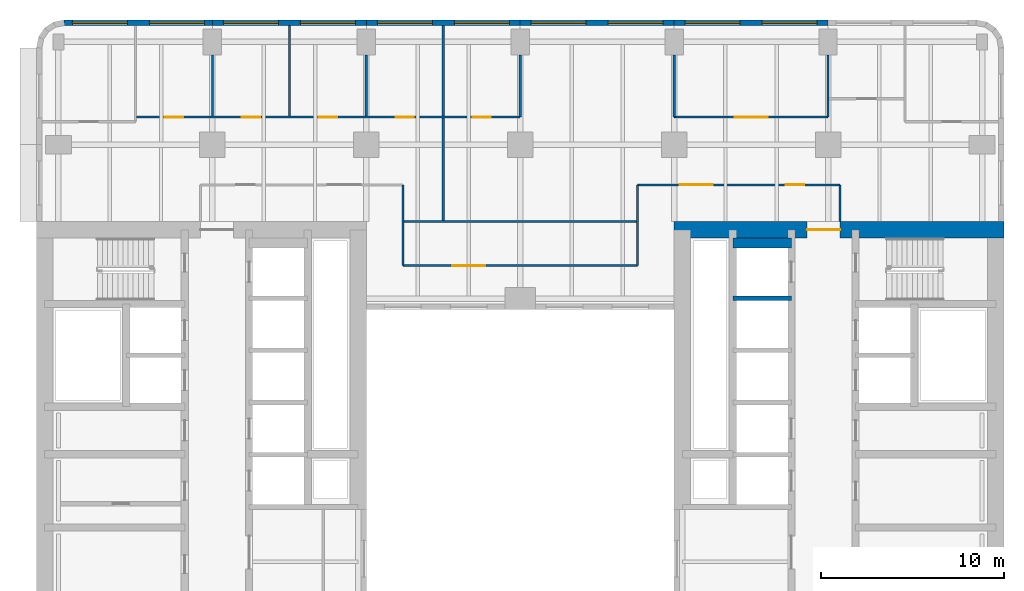
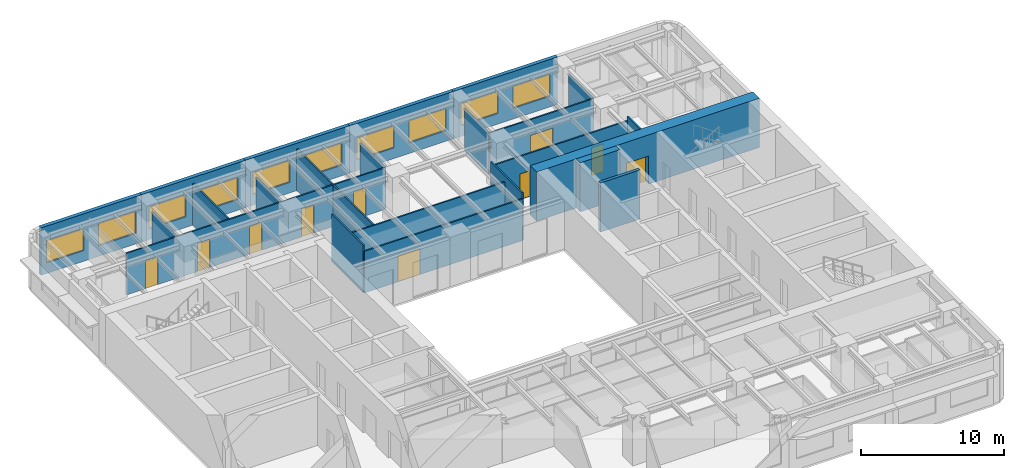
# One storey, part 7 of 11: 24 walls, 10 doors, 10 windows, 20 openings.
"""IFC4 building model written with IfcOpenShell, lengths in metres."""

from ifc_helpers import new_model, si_unit, direction, frame, frame_2d, origin, place, context, subcontext, project, spatial, rectangle, extrude, material, layer, layer_set, type_object, element, fill, save


model = new_model("IFC4")

# Units and contexts
model_context = context("Model", 3, precision=1e-05, world=origin(), true_north=direction((0.0, 1.0)))
body_context = subcontext(model_context, "Body", "Model", "MODEL_VIEW")
ifc_project = project(units=[si_unit("LENGTHUNIT", "METRE"), si_unit("AREAUNIT", "SQUARE_METRE"), si_unit("VOLUMEUNIT", "CUBIC_METRE"), si_unit("PLANEANGLEUNIT", "RADIAN"), si_unit("MASSUNIT", "GRAM", prefix="KILO")], contexts=[model_context])

# Site, building, storey
site_placement = place(None, origin())
site = spatial("IfcSite", under=ifc_project, at=site_placement, CompositionType="ELEMENT")
building_placement = place(site_placement, origin())
building = spatial("IfcBuilding", under=site, at=building_placement, Name="Claustro Exchange Tower", CompositionType="ELEMENT")
storey_placement = place(building_placement, frame((0.0, 0.0, 147.0)))
storey = spatial("IfcBuildingStorey", under=building, at=storey_placement, Name="L33", CompositionType="ELEMENT", Elevation=147.0)

# Wall, openings, doors
ifc_material_1 = material(Name="Laminated glass in aluminium frame", Category="aluminium")
ifc_layer_1 = layer(ifc_material_1, 0.1201171875)
ifc_layer_set_1 = layer_set([ifc_layer_1], Name="Laminated glass in aluminium frame")
wall_type_1 = type_object("IfcWallType", Name="P2 120 glazed partition", PredefinedType="PARTITIONING", material=ifc_layer_set_1)
wall_1_placement = place(storey_placement, frame((4.258056640625, 43.5, 0.0), z_axis=(0.0, 0.0, 1.0), x_axis=(1.0, 0.0, 0.0)))
wall_1 = element("IfcWall", 1, at=wall_1_placement, inside=storey, type_object=wall_type_1, Name="Partition P2 L33", PredefinedType="PARTITIONING", context=body_context, shape_type="SweptSolid", body=[
    extrude(rectangle(XDim=20.94189453125, YDim=0.1201171875, at=frame_2d((10.470947265625, 0.0))), origin(), (0.0, 0.0, 1.0), 3.550048828125),
])
opening_1_placement = place(wall_1_placement, frame((1.5419921875, 0.0, 0.0)))
opening_1 = element("IfcOpeningElement", 2, at=opening_1_placement, cuts=wall_1, Name="Opening D7", PredefinedType="OPENING", context=body_context, shape_type="SweptSolid", body=[
    extrude(rectangle(XDim=1.0, YDim=2.39990234375, at=frame_2d((0.5, 1.199951171875))), frame((0.0, 0.070068359375, 0.0), z_axis=(0.0, -1.0, 0.0), x_axis=(1.0, 0.0, 0.0)), (0.0, 0.0, 1.0), 0.14013671875),
])
opening_2_placement = place(wall_1_placement, frame((5.741943359375, 0.0, 0.0)))
opening_2 = element("IfcOpeningElement", 3, at=opening_2_placement, cuts=wall_1, Name="Opening D7", PredefinedType="OPENING", context=body_context, shape_type="SweptSolid", body=[
    extrude(rectangle(XDim=1.0, YDim=2.39990234375, at=frame_2d((0.5, 1.199951171875))), frame((0.0, 0.070068359375, 0.0), z_axis=(0.0, -1.0, 0.0), x_axis=(1.0, 0.0, 0.0)), (0.0, 0.0, 1.0), 0.14013671875),
])
opening_3_placement = place(wall_1_placement, frame((9.94189453125, 0.0, 0.0)))
opening_3 = element("IfcOpeningElement", 4, at=opening_3_placement, cuts=wall_1, Name="Opening D7", PredefinedType="OPENING", context=body_context, shape_type="SweptSolid", body=[
    extrude(rectangle(XDim=1.0, YDim=2.39990234375, at=frame_2d((0.5, 1.199951171875))), frame((0.0, 0.070068359375, 0.0), z_axis=(0.0, -1.0, 0.0), x_axis=(1.0, 0.0, 0.0)), (0.0, 0.0, 1.0), 0.14013671875),
])
opening_4_placement = place(wall_1_placement, frame((14.14208984375, 0.0, 0.0)))
opening_4 = element("IfcOpeningElement", 5, at=opening_4_placement, cuts=wall_1, Name="Opening D7", PredefinedType="OPENING", context=body_context, shape_type="SweptSolid", body=[
    extrude(rectangle(XDim=1.0, YDim=2.39990234375, at=frame_2d((0.5, 1.199951171875))), frame((0.0, 0.070068359375, 0.0), z_axis=(0.0, -1.0, 0.0), x_axis=(1.0, 0.0, 0.0)), (0.0, 0.0, 1.0), 0.14013671875),
])
opening_5_placement = place(wall_1_placement, frame((18.342041015625, 0.0, 0.0)))
opening_5 = element("IfcOpeningElement", 6, at=opening_5_placement, cuts=wall_1, Name="Opening D7", PredefinedType="OPENING", context=body_context, shape_type="SweptSolid", body=[
    extrude(rectangle(XDim=1.0, YDim=2.39990234375, at=frame_2d((0.5, 1.199951171875))), frame((0.0, 0.070068359375, 0.0), z_axis=(0.0, -1.0, 0.0), x_axis=(1.0, 0.0, 0.0)), (0.0, 0.0, 1.0), 0.14013671875),
])
ifc_material_2 = material(Name="Glass door in aluminium frame", Category="aluminium")
door_type_1 = type_object("IfcDoorType", Name="D7 1000 x 2400 glazed door", OperationType="SINGLE_SWING_LEFT", PredefinedType="DOOR", material=ifc_material_2)
door_1_placement = place(opening_1_placement, origin())
door_1 = element("IfcDoor", 7, at=door_1_placement, inside=storey, type_object=door_type_1, Name="Door D7 L33", OperationType="SINGLE_SWING_LEFT", OverallHeight=2.39990234375, OverallWidth=1.0, PredefinedType="DOOR", context=body_context, shape_type="SweptSolid", body=[
    extrude(rectangle(XDim=1.0, YDim=2.39990234375, at=frame_2d((0.5, 1.199951171875))), frame((0.0, 0.02490234375, 0.0), z_axis=(0.0, -1.0, 0.0), x_axis=(1.0, 0.0, 0.0)), (0.0, 0.0, 1.0), 0.050048828125),
])
fill(opening_1, door_1)
door_2_placement = place(opening_2_placement, origin())
door_2 = element("IfcDoor", 8, at=door_2_placement, inside=storey, type_object=door_type_1, Name="Door D7 L33", OperationType="SINGLE_SWING_RIGHT", OverallHeight=2.39990234375, OverallWidth=1.0, PredefinedType="DOOR", context=body_context, shape_type="SweptSolid", body=[
    extrude(rectangle(XDim=1.0, YDim=2.39990234375, at=frame_2d((0.5, 1.199951171875))), frame((0.0, 0.02490234375, 0.0), z_axis=(0.0, -1.0, 0.0), x_axis=(1.0, 0.0, 0.0)), (0.0, 0.0, 1.0), 0.050048828125),
])
fill(opening_2, door_2)
door_3_placement = place(opening_3_placement, origin())
door_3 = element("IfcDoor", 9, at=door_3_placement, inside=storey, type_object=door_type_1, Name="Door D7 L33", OperationType="SINGLE_SWING_LEFT", OverallHeight=2.39990234375, OverallWidth=1.0, PredefinedType="DOOR", context=body_context, shape_type="SweptSolid", body=[
    extrude(rectangle(XDim=1.0, YDim=2.39990234375, at=frame_2d((0.5, 1.199951171875))), frame((0.0, 0.02490234375, 0.0), z_axis=(0.0, -1.0, 0.0), x_axis=(1.0, 0.0, 0.0)), (0.0, 0.0, 1.0), 0.050048828125),
])
fill(opening_3, door_3)
door_4_placement = place(opening_4_placement, origin())
door_4 = element("IfcDoor", 10, at=door_4_placement, inside=storey, type_object=door_type_1, Name="Door D7 L33", OperationType="SINGLE_SWING_LEFT", OverallHeight=2.39990234375, OverallWidth=1.0, PredefinedType="DOOR", context=body_context, shape_type="SweptSolid", body=[
    extrude(rectangle(XDim=1.0, YDim=2.39990234375, at=frame_2d((0.5, 1.199951171875))), frame((0.0, 0.02490234375, 0.0), z_axis=(0.0, -1.0, 0.0), x_axis=(1.0, 0.0, 0.0)), (0.0, 0.0, 1.0), 0.050048828125),
])
fill(opening_4, door_4)
door_5_placement = place(opening_5_placement, origin())
door_5 = element("IfcDoor", 11, at=door_5_placement, inside=storey, type_object=door_type_1, Name="Door D7 L33", OperationType="SINGLE_SWING_LEFT", OverallHeight=2.39990234375, OverallWidth=1.0, PredefinedType="DOOR", context=body_context, shape_type="SweptSolid", body=[
    extrude(rectangle(XDim=1.0, YDim=2.39990234375, at=frame_2d((0.5, 1.199951171875))), frame((0.0, 0.02490234375, 0.0), z_axis=(0.0, -1.0, 0.0), x_axis=(1.0, 0.0, 0.0)), (0.0, 0.0, 1.0), 0.050048828125),
])
fill(opening_5, door_5)

# Walls
wall_2_placement = place(storey_placement, frame((8.39990234375, 43.55810546875, 0.0), z_axis=(0.0, 0.0, 1.0), x_axis=(0.0, 1.0, 0.0)))
element("IfcWall", 12, at=wall_2_placement, inside=storey, type_object=wall_type_1, Name="Partition P2 L33", PredefinedType="PARTITIONING", context=body_context, shape_type="SweptSolid", body=[
    extrude(rectangle(XDim=3.3427734375, YDim=0.1201171875, at=frame_2d((1.67138671875, 0.0))), origin(), (0.0, 0.0, 1.0), 3.550048828125),
])
wall_3_placement = place(storey_placement, frame((12.60009765625, 43.55810546875, 0.0), z_axis=(0.0, 0.0, 1.0), x_axis=(0.0, 1.0, 0.0)))
element("IfcWall", 13, at=wall_3_placement, inside=storey, type_object=wall_type_1, Name="Partition P2 L33", PredefinedType="PARTITIONING", context=body_context, shape_type="SweptSolid", body=[
    extrude(rectangle(XDim=4.94384765625, YDim=0.1201171875, at=frame_2d((2.471923828125, 0.0))), origin(), (0.0, 0.0, 1.0), 3.56005859375),
])
wall_4_placement = place(storey_placement, frame((16.800048828125, 43.55810546875, 0.0), z_axis=(0.0, 0.0, 1.0), x_axis=(0.0, 1.0, 0.0)))
element("IfcWall", 14, at=wall_4_placement, inside=storey, type_object=wall_type_1, Name="Partition P2 L33", PredefinedType="PARTITIONING", context=body_context, shape_type="SweptSolid", body=[
    extrude(rectangle(XDim=3.3427734375, YDim=0.1201171875, at=frame_2d((1.67138671875, 0.0))), origin(), (0.0, 0.0, 1.0), 3.550048828125),
])
wall_5_placement = place(storey_placement, frame((21.0, 43.55810546875, 0.0), z_axis=(0.0, 0.0, 1.0), x_axis=(0.0, 1.0, 0.0)))
element("IfcWall", 15, at=wall_5_placement, inside=storey, type_object=wall_type_1, Name="Partition P2 L33", PredefinedType="PARTITIONING", context=body_context, shape_type="SweptSolid", body=[
    extrude(rectangle(XDim=4.94384765625, YDim=0.1201171875, at=frame_2d((2.471923828125, 0.0))), origin(), (0.0, 0.0, 1.0), 3.56005859375),
])
wall_6_placement = place(storey_placement, frame((25.199951171875, 43.5, 0.0), z_axis=(0.0, 0.0, 1.0), x_axis=(0.0, 1.0, 0.0)))
element("IfcWall", 16, at=wall_6_placement, inside=storey, type_object=wall_type_1, Name="Partition P2 L33", PredefinedType="PARTITIONING", context=body_context, shape_type="SweptSolid", body=[
    extrude(rectangle(XDim=3.40087890625, YDim=0.1201171875, at=frame_2d((1.700439453125, 0.0))), origin(), (0.0, 0.0, 1.0), 3.550048828125),
])

# Wall, opening, door
wall_7_placement = place(storey_placement, frame((33.60009765625, 43.5, 0.0), z_axis=(0.0, 0.0, 1.0), x_axis=(1.0, 0.0, 0.0)))
wall_7 = element("IfcWall", 17, at=wall_7_placement, inside=storey, type_object=wall_type_1, Name="Partition P2 L33", PredefinedType="PARTITIONING", context=body_context, shape_type="SweptSolid", body=[
    extrude(rectangle(XDim=8.39990234375, YDim=0.1201171875, at=frame_2d((4.199951171875, 0.0))), origin(), (0.0, 0.0, 1.0), 3.550048828125),
])
opening_6_placement = place(wall_7_placement, frame((3.300048828125, 0.0, 0.0)))
opening_6 = element("IfcOpeningElement", 18, at=opening_6_placement, cuts=wall_7, Name="Opening D2", PredefinedType="OPENING", context=body_context, shape_type="SweptSolid", body=[
    extrude(rectangle(XDim=1.800048828125, YDim=2.199951171875, at=frame_2d((0.89990234375, 1.10009765625))), frame((0.0, 0.070068359375, 0.0), z_axis=(0.0, -1.0, 0.0), x_axis=(1.0, 0.0, 0.0)), (0.0, 0.0, 1.0), 0.14013671875),
])
ifc_material_3 = material(Name="Timber door, oak veneer", Category="wood")
door_type_2 = type_object("IfcDoorType", Name="D2 1800 x 2200 double door", OperationType="DOUBLE_DOOR_SINGLE_SWING", PredefinedType="DOOR", material=ifc_material_3)
door_6_placement = place(opening_6_placement, origin())
door_6 = element("IfcDoor", 19, at=door_6_placement, inside=storey, type_object=door_type_2, Name="Double door D2 L33", OperationType="DOUBLE_DOOR_SINGLE_SWING", OverallHeight=2.199951171875, OverallWidth=1.800048828125, PredefinedType="DOOR", context=body_context, shape_type="SweptSolid", body=[
    extrude(rectangle(XDim=1.800048828125, YDim=2.199951171875, at=frame_2d((0.89990234375, 1.10009765625))), frame((0.0, 0.02490234375, 0.0), z_axis=(0.0, -1.0, 0.0), x_axis=(1.0, 0.0, 0.0)), (0.0, 0.0, 1.0), 0.050048828125),
])
fill(opening_6, door_6)

# Walls
for number, where, z_axis, x_axis, name in (
    (20, (33.60009765625, 43.5, 0.0), (0.0, 0.0, 1.0), (0.0, 1.0, 0.0), "Partition P2 L33"),
    (21, (42.0, 43.5, 0.0), (0.0, 0.0, 1.0), (0.0, 1.0, 0.0), "Partition P2 L33"),
):
    element("IfcWall", number, at=place(storey_placement, frame(where, z_axis=z_axis, x_axis=x_axis)), inside=storey, type_object=wall_type_1, Name=name, PredefinedType="PARTITIONING", context=body_context, shape_type="SweptSolid", body=[
        extrude(rectangle(XDim=3.40087890625, YDim=0.1201171875, at=frame_2d((1.700439453125, 0.0))), origin(), (0.0, 0.0, 1.0), 3.550048828125),
    ])
wall_8_placement = place(storey_placement, frame((21.0, 37.85791015625, 0.0), z_axis=(0.0, 0.0, 1.0), x_axis=(0.0, 1.0, 0.0)))
element("IfcWall", 22, at=wall_8_placement, inside=storey, type_object=wall_type_1, Name="Partition P2 L33", PredefinedType="PARTITIONING", context=body_context, shape_type="SweptSolid", body=[
    extrude(rectangle(XDim=5.583984375, YDim=0.1201171875, at=frame_2d((2.7919921875, 0.0))), origin(), (0.0, 0.0, 1.0), 3.550048828125),
])

# Wall, openings, doors
wall_9_placement = place(storey_placement, frame((31.60009765625, 39.800048828125, 0.0), z_axis=(0.0, 0.0, 1.0), x_axis=(1.0, 0.0, 0.0)))
wall_9 = element("IfcWall", 23, at=wall_9_placement, inside=storey, type_object=wall_type_1, Name="Partition P2 L33", PredefinedType="PARTITIONING", context=body_context, shape_type="SweptSolid", body=[
    extrude(rectangle(XDim=11.0498046875, YDim=0.1201171875, at=frame_2d((5.52490234375, 0.0))), origin(), (0.0, 0.0, 1.0), 3.68994140625),
])
opening_7_placement = place(wall_9_placement, frame((2.300048828125, 0.0, 0.0)))
opening_7 = element("IfcOpeningElement", 24, at=opening_7_placement, cuts=wall_9, Name="Opening D2", PredefinedType="OPENING", context=body_context, shape_type="SweptSolid", body=[
    extrude(rectangle(XDim=1.800048828125, YDim=2.199951171875, at=frame_2d((0.89990234375, 1.10009765625))), frame((0.0, 0.070068359375, 0.0), z_axis=(0.0, -1.0, 0.0), x_axis=(1.0, 0.0, 0.0)), (0.0, 0.0, 1.0), 0.14013671875),
])
opening_8_placement = place(wall_9_placement, frame((8.10009765625, 0.0, 0.0)))
opening_8 = element("IfcOpeningElement", 25, at=opening_8_placement, cuts=wall_9, Name="Opening D7", PredefinedType="OPENING", context=body_context, shape_type="SweptSolid", body=[
    extrude(rectangle(XDim=1.0, YDim=2.39990234375, at=frame_2d((0.5, 1.199951171875))), frame((0.0, 0.070068359375, 0.0), z_axis=(0.0, -1.0, 0.0), x_axis=(1.0, 0.0, 0.0)), (0.0, 0.0, 1.0), 0.14013671875),
])
door_7_placement = place(opening_7_placement, origin())
door_7 = element("IfcDoor", 26, at=door_7_placement, inside=storey, type_object=door_type_2, Name="Double door D2 L33", OperationType="DOUBLE_DOOR_SINGLE_SWING", OverallHeight=2.199951171875, OverallWidth=1.800048828125, PredefinedType="DOOR", context=body_context, shape_type="SweptSolid", body=[
    extrude(rectangle(XDim=1.800048828125, YDim=2.199951171875, at=frame_2d((0.89990234375, 1.10009765625))), frame((0.0, 0.02490234375, 0.0), z_axis=(0.0, -1.0, 0.0), x_axis=(1.0, 0.0, 0.0)), (0.0, 0.0, 1.0), 0.050048828125),
])
fill(opening_7, door_7)
door_8_placement = place(opening_8_placement, origin())
door_8 = element("IfcDoor", 27, at=door_8_placement, inside=storey, type_object=door_type_1, Name="Door D7 L33", OperationType="SINGLE_SWING_RIGHT", OverallHeight=2.39990234375, OverallWidth=1.0, PredefinedType="DOOR", context=body_context, shape_type="SweptSolid", body=[
    extrude(rectangle(XDim=1.0, YDim=2.39990234375, at=frame_2d((0.5, 1.199951171875))), frame((0.0, 0.02490234375, 0.0), z_axis=(0.0, -1.0, 0.0), x_axis=(1.0, 0.0, 0.0)), (0.0, 0.0, 1.0), 0.050048828125),
])
fill(opening_8, door_8)

# Walls
wall_10_placement = place(storey_placement, frame((42.64990234375, 37.800048828125, 0.0), z_axis=(0.0, 0.0, 1.0), x_axis=(0.0, 1.0, 0.0)))
element("IfcWall", 28, at=wall_10_placement, inside=storey, type_object=wall_type_1, Name="Partition P2 L33", PredefinedType="PARTITIONING", context=body_context, shape_type="SweptSolid", body=[
    extrude(rectangle(XDim=2.0, YDim=0.1201171875, at=frame_2d((1.0, 0.0))), origin(), (0.0, 0.0, 1.0), 4.050048828125),
])
for number, where, z_axis, x_axis, name in (
    (29, (18.800048828125, 35.39990234375, 0.0), (0.0, 0.0, 1.0), (0.0, 1.0, 0.0), "Partition P2 L33"),
    (30, (31.60009765625, 35.39990234375, 0.0), (0.0, 0.0, 1.0), (0.0, 1.0, 0.0), "Partition P2 L33"),
):
    element("IfcWall", number, at=place(storey_placement, frame(where, z_axis=z_axis, x_axis=x_axis)), inside=storey, type_object=wall_type_1, Name=name, PredefinedType="PARTITIONING", context=body_context, shape_type="SweptSolid", body=[
        extrude(rectangle(XDim=4.400146484375, YDim=0.1201171875, at=frame_2d((2.2001953125, 0.0))), origin(), (0.0, 0.0, 1.0), 4.050048828125),
    ])

# Wall, opening, door
wall_11_placement = place(storey_placement, frame((18.800048828125, 35.39990234375, 0.0), z_axis=(0.0, 0.0, 1.0), x_axis=(1.0, 0.0, 0.0)))
wall_11 = element("IfcWall", 31, at=wall_11_placement, inside=storey, type_object=wall_type_1, Name="Partition P2 L33", PredefinedType="PARTITIONING", context=body_context, shape_type="SweptSolid", body=[
    extrude(rectangle(XDim=12.800048828125, YDim=0.1201171875, at=frame_2d((6.39990234375, 0.0))), origin(), (0.0, 0.0, 1.0), 3.550048828125),
])
opening_9_placement = place(wall_11_placement, frame((2.699951171875, 0.0, 0.0)))
opening_9 = element("IfcOpeningElement", 32, at=opening_9_placement, cuts=wall_11, Name="Opening D2", PredefinedType="OPENING", context=body_context, shape_type="SweptSolid", body=[
    extrude(rectangle(XDim=1.800048828125, YDim=2.199951171875, at=frame_2d((0.89990234375, 1.10009765625))), frame((0.0, 0.070068359375, 0.0), z_axis=(0.0, -1.0, 0.0), x_axis=(1.0, 0.0, 0.0)), (0.0, 0.0, 1.0), 0.14013671875),
])
door_9_placement = place(opening_9_placement, origin())
door_9 = element("IfcDoor", 33, at=door_9_placement, inside=storey, type_object=door_type_2, Name="Double door D2 L33", OperationType="DOUBLE_DOOR_SINGLE_SWING", OverallHeight=2.199951171875, OverallWidth=1.800048828125, PredefinedType="DOOR", context=body_context, shape_type="SweptSolid", body=[
    extrude(rectangle(XDim=1.800048828125, YDim=2.199951171875, at=frame_2d((0.89990234375, 1.10009765625))), frame((0.0, 0.02490234375, 0.0), z_axis=(0.0, -1.0, 0.0), x_axis=(1.0, 0.0, 0.0)), (0.0, 0.0, 1.0), 0.050048828125),
])
fill(opening_9, door_9)

# Wall
wall_12_placement = place(storey_placement, frame((18.85791015625, 37.800048828125, 0.0), z_axis=(0.0, 0.0, 1.0), x_axis=(1.0, 0.0, 0.0)))
element("IfcWall", 34, at=wall_12_placement, inside=storey, type_object=wall_type_1, Name="Partition P2 L33", PredefinedType="PARTITIONING", context=body_context, shape_type="SweptSolid", body=[
    extrude(rectangle(XDim=12.68408203125, YDim=0.1201171875, at=frame_2d((6.342041015625, 0.0))), origin(), (0.0, 0.0, 1.0), 3.550048828125),
])

# Wall, openings, windows
ifc_material_4 = material(Name="Concrete HA-40 (C40/50), precast, white cement, acid-etched", Category="concrete")
ifc_layer_2 = layer(ifc_material_4, 0.300048828125)
ifc_layer_set_2 = layer_set([ifc_layer_2], Name="Concrete HA-40 (C40/50), precast, white cement, acid-etched")
wall_type_2 = type_object("IfcWallType", Name="PC1 300 precast concrete pier panel", PredefinedType="SOLIDWALL", material=ifc_layer_set_2)
wall_13_placement = place(storey_placement, frame((0.314697265625, 48.64990234375, 0.0), z_axis=(0.0, 0.0, 1.0), x_axis=(1.0, 0.0, 0.0)))
wall_13 = element("IfcWall", 35, at=wall_13_placement, inside=storey, type_object=wall_type_2, Name="Precast pier panel PC1 L33", PredefinedType="SOLIDWALL", context=body_context, shape_type="SweptSolid", body=[
    extrude(rectangle(XDim=8.085205078125, YDim=0.300048828125, at=frame_2d((4.04248046875, 0.0))), origin(), (0.0, 0.0, 1.0), 4.050048828125),
])
opening_10_placement = place(wall_13_placement, frame((0.442626953125, 0.0, 0.89990234375)))
opening_10 = element("IfcOpeningElement", 36, at=opening_10_placement, cuts=wall_13, Name="Opening W1", PredefinedType="OPENING", context=body_context, shape_type="SweptSolid", body=[
    extrude(rectangle(XDim=3.0, YDim=1.89990234375, at=frame_2d((1.5, 0.949951171875))), frame((0.0, 0.159912109375, 0.0), z_axis=(0.0, -1.0, 0.0), x_axis=(1.0, 0.0, 0.0)), (0.0, 0.0, 1.0), 0.320068359375),
])
opening_11_placement = place(wall_13_placement, frame((4.642578125, 0.0, 0.89990234375)))
opening_11 = element("IfcOpeningElement", 37, at=opening_11_placement, cuts=wall_13, Name="Opening W1", PredefinedType="OPENING", context=body_context, shape_type="SweptSolid", body=[
    extrude(rectangle(XDim=3.0, YDim=1.89990234375, at=frame_2d((1.5, 0.949951171875))), frame((0.0, 0.159912109375, 0.0), z_axis=(0.0, -1.0, 0.0), x_axis=(1.0, 0.0, 0.0)), (0.0, 0.0, 1.0), 0.320068359375),
])
ifc_material_5 = material(Name="Aluminium frame, clear double glazing", Category="aluminium")
window_type = type_object("IfcWindowType", Name="W1 3000 x 1900 window", PartitioningType="SINGLE_PANEL", PredefinedType="WINDOW", material=ifc_material_5)
window_1_placement = place(opening_10_placement, origin())
window_1 = element("IfcWindow", 38, at=window_1_placement, inside=storey, type_object=window_type, Name="Window W1 L33", OverallHeight=1.89990234375, OverallWidth=3.0, PartitioningType="SINGLE_PANEL", PredefinedType="WINDOW", context=body_context, shape_type="SweptSolid", body=[
    extrude(rectangle(XDim=3.0, YDim=1.89990234375, at=frame_2d((1.5, 0.949951171875))), frame((0.0, 0.030029296875, 0.0), z_axis=(0.0, -1.0, 0.0), x_axis=(1.0, 0.0, 0.0)), (0.0, 0.0, 1.0), 0.06005859375),
])
fill(opening_10, window_1)
window_2_placement = place(opening_11_placement, origin())
window_2 = element("IfcWindow", 39, at=window_2_placement, inside=storey, type_object=window_type, Name="Window W1 L33", OverallHeight=1.89990234375, OverallWidth=3.0, PartitioningType="SINGLE_PANEL", PredefinedType="WINDOW", context=body_context, shape_type="SweptSolid", body=[
    extrude(rectangle(XDim=3.0, YDim=1.89990234375, at=frame_2d((1.5, 0.949951171875))), frame((0.0, 0.030029296875, 0.0), z_axis=(0.0, -1.0, 0.0), x_axis=(1.0, 0.0, 0.0)), (0.0, 0.0, 1.0), 0.06005859375),
])
fill(opening_11, window_2)

wall_14_placement = place(storey_placement, frame((8.39990234375, 48.64990234375, 0.0), z_axis=(0.0, 0.0, 1.0), x_axis=(1.0, 0.0, 0.0)))
wall_14 = element("IfcWall", 40, at=wall_14_placement, inside=storey, type_object=wall_type_2, Name="Precast pier panel PC1 L33", PredefinedType="SOLIDWALL", context=body_context, shape_type="SweptSolid", body=[
    extrude(rectangle(XDim=8.400146484375, YDim=0.300048828125, at=frame_2d((4.2001953125, 0.0))), origin(), (0.0, 0.0, 1.0), 4.050048828125),
])
opening_12_placement = place(wall_14_placement, frame((0.60009765625, 0.0, 0.89990234375)))
opening_12 = element("IfcOpeningElement", 41, at=opening_12_placement, cuts=wall_14, Name="Opening W1", PredefinedType="OPENING", context=body_context, shape_type="SweptSolid", body=[
    extrude(rectangle(XDim=3.0, YDim=1.89990234375, at=frame_2d((1.5, 0.949951171875))), frame((0.0, 0.159912109375, 0.0), z_axis=(0.0, -1.0, 0.0), x_axis=(1.0, 0.0, 0.0)), (0.0, 0.0, 1.0), 0.320068359375),
])
opening_13_placement = place(wall_14_placement, frame((4.800048828125, 0.0, 0.89990234375)))
opening_13 = element("IfcOpeningElement", 42, at=opening_13_placement, cuts=wall_14, Name="Opening W1", PredefinedType="OPENING", context=body_context, shape_type="SweptSolid", body=[
    extrude(rectangle(XDim=3.0, YDim=1.89990234375, at=frame_2d((1.5, 0.949951171875))), frame((0.0, 0.159912109375, 0.0), z_axis=(0.0, -1.0, 0.0), x_axis=(1.0, 0.0, 0.0)), (0.0, 0.0, 1.0), 0.320068359375),
])
window_3_placement = place(opening_12_placement, origin())
window_3 = element("IfcWindow", 43, at=window_3_placement, inside=storey, type_object=window_type, Name="Window W1 L33", OverallHeight=1.89990234375, OverallWidth=3.0, PartitioningType="SINGLE_PANEL", PredefinedType="WINDOW", context=body_context, shape_type="SweptSolid", body=[
    extrude(rectangle(XDim=3.0, YDim=1.89990234375, at=frame_2d((1.5, 0.949951171875))), frame((0.0, 0.030029296875, 0.0), z_axis=(0.0, -1.0, 0.0), x_axis=(1.0, 0.0, 0.0)), (0.0, 0.0, 1.0), 0.06005859375),
])
fill(opening_12, window_3)
window_4_placement = place(opening_13_placement, origin())
window_4 = element("IfcWindow", 44, at=window_4_placement, inside=storey, type_object=window_type, Name="Window W1 L33", OverallHeight=1.89990234375, OverallWidth=3.0, PartitioningType="SINGLE_PANEL", PredefinedType="WINDOW", context=body_context, shape_type="SweptSolid", body=[
    extrude(rectangle(XDim=3.0, YDim=1.89990234375, at=frame_2d((1.5, 0.949951171875))), frame((0.0, 0.030029296875, 0.0), z_axis=(0.0, -1.0, 0.0), x_axis=(1.0, 0.0, 0.0)), (0.0, 0.0, 1.0), 0.06005859375),
])
fill(opening_13, window_4)

wall_15_placement = place(storey_placement, frame((16.800048828125, 48.64990234375, 0.0), z_axis=(0.0, 0.0, 1.0), x_axis=(1.0, 0.0, 0.0)))
wall_15 = element("IfcWall", 45, at=wall_15_placement, inside=storey, type_object=wall_type_2, Name="Precast pier panel PC1 L33", PredefinedType="SOLIDWALL", context=body_context, shape_type="SweptSolid", body=[
    extrude(rectangle(XDim=8.39990234375, YDim=0.300048828125, at=frame_2d((4.199951171875, 0.0))), origin(), (0.0, 0.0, 1.0), 4.050048828125),
])
opening_14_placement = place(wall_15_placement, frame((0.60009765625, 0.0, 0.89990234375)))
opening_14 = element("IfcOpeningElement", 46, at=opening_14_placement, cuts=wall_15, Name="Opening W1", PredefinedType="OPENING", context=body_context, shape_type="SweptSolid", body=[
    extrude(rectangle(XDim=3.0, YDim=1.89990234375, at=frame_2d((1.5, 0.949951171875))), frame((0.0, 0.159912109375, 0.0), z_axis=(0.0, -1.0, 0.0), x_axis=(1.0, 0.0, 0.0)), (0.0, 0.0, 1.0), 0.320068359375),
])
opening_15_placement = place(wall_15_placement, frame((4.800048828125, 0.0, 0.89990234375)))
opening_15 = element("IfcOpeningElement", 47, at=opening_15_placement, cuts=wall_15, Name="Opening W1", PredefinedType="OPENING", context=body_context, shape_type="SweptSolid", body=[
    extrude(rectangle(XDim=3.0, YDim=1.89990234375, at=frame_2d((1.5, 0.949951171875))), frame((0.0, 0.159912109375, 0.0), z_axis=(0.0, -1.0, 0.0), x_axis=(1.0, 0.0, 0.0)), (0.0, 0.0, 1.0), 0.320068359375),
])
window_5_placement = place(opening_14_placement, origin())
window_5 = element("IfcWindow", 48, at=window_5_placement, inside=storey, type_object=window_type, Name="Window W1 L33", OverallHeight=1.89990234375, OverallWidth=3.0, PartitioningType="SINGLE_PANEL", PredefinedType="WINDOW", context=body_context, shape_type="SweptSolid", body=[
    extrude(rectangle(XDim=3.0, YDim=1.89990234375, at=frame_2d((1.5, 0.949951171875))), frame((0.0, 0.030029296875, 0.0), z_axis=(0.0, -1.0, 0.0), x_axis=(1.0, 0.0, 0.0)), (0.0, 0.0, 1.0), 0.06005859375),
])
fill(opening_14, window_5)
window_6_placement = place(opening_15_placement, origin())
window_6 = element("IfcWindow", 49, at=window_6_placement, inside=storey, type_object=window_type, Name="Window W1 L33", OverallHeight=1.89990234375, OverallWidth=3.0, PartitioningType="SINGLE_PANEL", PredefinedType="WINDOW", context=body_context, shape_type="SweptSolid", body=[
    extrude(rectangle(XDim=3.0, YDim=1.89990234375, at=frame_2d((1.5, 0.949951171875))), frame((0.0, 0.030029296875, 0.0), z_axis=(0.0, -1.0, 0.0), x_axis=(1.0, 0.0, 0.0)), (0.0, 0.0, 1.0), 0.06005859375),
])
fill(opening_15, window_6)

wall_16_placement = place(storey_placement, frame((25.199951171875, 48.64990234375, 0.0), z_axis=(0.0, 0.0, 1.0), x_axis=(1.0, 0.0, 0.0)))
wall_16 = element("IfcWall", 50, at=wall_16_placement, inside=storey, type_object=wall_type_2, Name="Precast pier panel PC1 L33", PredefinedType="SOLIDWALL", context=body_context, shape_type="SweptSolid", body=[
    extrude(rectangle(XDim=8.400146484375, YDim=0.300048828125, at=frame_2d((4.2001953125, 0.0))), origin(), (0.0, 0.0, 1.0), 4.050048828125),
])
opening_16_placement = place(wall_16_placement, frame((0.60009765625, 0.0, 0.89990234375)))
opening_16 = element("IfcOpeningElement", 51, at=opening_16_placement, cuts=wall_16, Name="Opening W1", PredefinedType="OPENING", context=body_context, shape_type="SweptSolid", body=[
    extrude(rectangle(XDim=3.0, YDim=1.89990234375, at=frame_2d((1.5, 0.949951171875))), frame((0.0, 0.159912109375, 0.0), z_axis=(0.0, -1.0, 0.0), x_axis=(1.0, 0.0, 0.0)), (0.0, 0.0, 1.0), 0.320068359375),
])
opening_17_placement = place(wall_16_placement, frame((4.800048828125, 0.0, 0.89990234375)))
opening_17 = element("IfcOpeningElement", 52, at=opening_17_placement, cuts=wall_16, Name="Opening W1", PredefinedType="OPENING", context=body_context, shape_type="SweptSolid", body=[
    extrude(rectangle(XDim=3.0, YDim=1.89990234375, at=frame_2d((1.5, 0.949951171875))), frame((0.0, 0.159912109375, 0.0), z_axis=(0.0, -1.0, 0.0), x_axis=(1.0, 0.0, 0.0)), (0.0, 0.0, 1.0), 0.320068359375),
])
window_7_placement = place(opening_16_placement, origin())
window_7 = element("IfcWindow", 53, at=window_7_placement, inside=storey, type_object=window_type, Name="Window W1 L33", OverallHeight=1.89990234375, OverallWidth=3.0, PartitioningType="SINGLE_PANEL", PredefinedType="WINDOW", context=body_context, shape_type="SweptSolid", body=[
    extrude(rectangle(XDim=3.0, YDim=1.89990234375, at=frame_2d((1.5, 0.949951171875))), frame((0.0, 0.030029296875, 0.0), z_axis=(0.0, -1.0, 0.0), x_axis=(1.0, 0.0, 0.0)), (0.0, 0.0, 1.0), 0.06005859375),
])
fill(opening_16, window_7)
window_8_placement = place(opening_17_placement, origin())
window_8 = element("IfcWindow", 54, at=window_8_placement, inside=storey, type_object=window_type, Name="Window W1 L33", OverallHeight=1.89990234375, OverallWidth=3.0, PartitioningType="SINGLE_PANEL", PredefinedType="WINDOW", context=body_context, shape_type="SweptSolid", body=[
    extrude(rectangle(XDim=3.0, YDim=1.89990234375, at=frame_2d((1.5, 0.949951171875))), frame((0.0, 0.030029296875, 0.0), z_axis=(0.0, -1.0, 0.0), x_axis=(1.0, 0.0, 0.0)), (0.0, 0.0, 1.0), 0.06005859375),
])
fill(opening_17, window_8)

wall_17_placement = place(storey_placement, frame((33.60009765625, 48.64990234375, 0.0), z_axis=(0.0, 0.0, 1.0), x_axis=(1.0, 0.0, 0.0)))
wall_17 = element("IfcWall", 55, at=wall_17_placement, inside=storey, type_object=wall_type_2, Name="Precast pier panel PC1 L33", PredefinedType="SOLIDWALL", context=body_context, shape_type="SweptSolid", body=[
    extrude(rectangle(XDim=8.39990234375, YDim=0.300048828125, at=frame_2d((4.199951171875, 0.0))), origin(), (0.0, 0.0, 1.0), 4.050048828125),
])
opening_18_placement = place(wall_17_placement, frame((0.60009765625, 0.0, 0.89990234375)))
opening_18 = element("IfcOpeningElement", 56, at=opening_18_placement, cuts=wall_17, Name="Opening W1", PredefinedType="OPENING", context=body_context, shape_type="SweptSolid", body=[
    extrude(rectangle(XDim=3.0, YDim=1.89990234375, at=frame_2d((1.5, 0.949951171875))), frame((0.0, 0.159912109375, 0.0), z_axis=(0.0, -1.0, 0.0), x_axis=(1.0, 0.0, 0.0)), (0.0, 0.0, 1.0), 0.320068359375),
])
opening_19_placement = place(wall_17_placement, frame((4.800048828125, 0.0, 0.89990234375)))
opening_19 = element("IfcOpeningElement", 57, at=opening_19_placement, cuts=wall_17, Name="Opening W1", PredefinedType="OPENING", context=body_context, shape_type="SweptSolid", body=[
    extrude(rectangle(XDim=3.0, YDim=1.89990234375, at=frame_2d((1.5, 0.949951171875))), frame((0.0, 0.159912109375, 0.0), z_axis=(0.0, -1.0, 0.0), x_axis=(1.0, 0.0, 0.0)), (0.0, 0.0, 1.0), 0.320068359375),
])
window_9_placement = place(opening_18_placement, origin())
window_9 = element("IfcWindow", 58, at=window_9_placement, inside=storey, type_object=window_type, Name="Window W1 L33", OverallHeight=1.89990234375, OverallWidth=3.0, PartitioningType="SINGLE_PANEL", PredefinedType="WINDOW", context=body_context, shape_type="SweptSolid", body=[
    extrude(rectangle(XDim=3.0, YDim=1.89990234375, at=frame_2d((1.5, 0.949951171875))), frame((0.0, 0.030029296875, 0.0), z_axis=(0.0, -1.0, 0.0), x_axis=(1.0, 0.0, 0.0)), (0.0, 0.0, 1.0), 0.06005859375),
])
fill(opening_18, window_9)
window_10_placement = place(opening_19_placement, origin())
window_10 = element("IfcWindow", 59, at=window_10_placement, inside=storey, type_object=window_type, Name="Window W1 L33", OverallHeight=1.89990234375, OverallWidth=3.0, PartitioningType="SINGLE_PANEL", PredefinedType="WINDOW", context=body_context, shape_type="SweptSolid", body=[
    extrude(rectangle(XDim=3.0, YDim=1.89990234375, at=frame_2d((1.5, 0.949951171875))), frame((0.0, 0.030029296875, 0.0), z_axis=(0.0, -1.0, 0.0), x_axis=(1.0, 0.0, 0.0)), (0.0, 0.0, 1.0), 0.06005859375),
])
fill(opening_19, window_10)

# Wall, opening, door
ifc_material_6 = material(Name="Concrete HA-70 (C70/85)", Category="concrete")
ifc_layer_3 = layer(ifc_material_6, 0.89990234375)
ifc_layer_set_3 = layer_set([ifc_layer_3], Name="Concrete HA-70 (C70/85)")
wall_type_3 = type_object("IfcWallType", Name="SW1 900 core shear wall", PredefinedType="SHEAR", material=ifc_layer_set_3)
wall_18_placement = place(storey_placement, frame((33.60009765625, 37.35009765625, 0.0), z_axis=(0.0, 0.0, 1.0), x_axis=(1.0, 0.0, 0.0)))
wall_18 = element("IfcWall", 60, at=wall_18_placement, inside=storey, type_object=wall_type_3, Name="Core wall SW1 E core N face L33", PredefinedType="SHEAR", context=body_context, shape_type="SweptSolid", body=[
    extrude(rectangle(XDim=18.0, YDim=0.89990234375, at=frame_2d((9.0, 0.0))), origin(), (0.0, 0.0, 1.0), 4.199951171875),
])
opening_20_placement = place(wall_18_placement, frame((7.25, 0.0, 0.0)))
opening_20 = element("IfcOpeningElement", 61, at=opening_20_placement, cuts=wall_18, Name="Opening D3", PredefinedType="OPENING", context=body_context, shape_type="SweptSolid", body=[
    extrude(rectangle(XDim=1.800048828125, YDim=2.39990234375, at=frame_2d((0.89990234375, 1.199951171875))), frame((0.0, 0.4599609375, 0.0), z_axis=(0.0, -1.0, 0.0), x_axis=(1.0, 0.0, 0.0)), (0.0, 0.0, 1.0), 0.919921875),
])
ifc_material_7 = material(Name="Steel fire door, painted", Category="steel")
door_type_3 = type_object("IfcDoorType", Name="D3 1800 x 2400 fire-rated lobby double door", OperationType="DOUBLE_DOOR_SINGLE_SWING", PredefinedType="DOOR", material=ifc_material_7)
door_10_placement = place(opening_20_placement, frame((1.800048828125, 0.0, 0.0), z_axis=(0.0, 0.0, 1.0), x_axis=(-1.0, 0.0, 0.0)))
door_10 = element("IfcDoor", 62, at=door_10_placement, inside=storey, type_object=door_type_3, Name="Lift lobby door D3 L33", OperationType="DOUBLE_DOOR_SINGLE_SWING", OverallHeight=2.39990234375, OverallWidth=1.800048828125, PredefinedType="DOOR", context=body_context, shape_type="SweptSolid", body=[
    extrude(rectangle(XDim=1.800048828125, YDim=2.39990234375, at=frame_2d((0.89990234375, 1.199951171875))), frame((0.0, 0.02490234375, 0.0), z_axis=(0.0, -1.0, 0.0), x_axis=(1.0, 0.0, 0.0)), (0.0, 0.0, 1.0), 0.050048828125),
])
fill(opening_20, door_10)

# Walls
ifc_material_8 = material(Name="Concrete HA-50 (C50/60)", Category="concrete")
ifc_layer_4 = layer(ifc_material_8, 0.25)
ifc_layer_set_4 = layer_set([ifc_layer_4], Name="Concrete HA-50 (C50/60)")
wall_type_4 = type_object("IfcWallType", Name="SW5 250 lift shaft divider wall", PredefinedType="SHEAR", material=ifc_layer_set_4)
wall_19_placement = place(storey_placement, frame((40.0, 33.625, 0.0), z_axis=(0.0, 0.0, 1.0), x_axis=(-1.0, 0.0, 0.0)))
element("IfcWall", 63, at=wall_19_placement, inside=storey, type_object=wall_type_4, Name="Lift shaft wall E core L33", PredefinedType="SHEAR", context=body_context, shape_type="SweptSolid", body=[
    extrude(rectangle(XDim=3.199951171875, YDim=0.25, at=frame_2d((1.60009765625, 0.0))), origin(), (0.0, 0.0, 1.0), 4.199951171875),
])
ifc_material_9 = material(Name="Concrete HA-50 (C50/60)", Category="concrete")
ifc_layer_5 = layer(ifc_material_9, 0.550048828125)
ifc_layer_set_5 = layer_set([ifc_layer_5], Name="Concrete HA-50 (C50/60)")
wall_type_5 = type_object("IfcWallType", Name="SW6 550 lift shaft end wall", PredefinedType="SHEAR", material=ifc_layer_set_5)
wall_20_placement = place(storey_placement, frame((40.0, 36.625, 0.0), z_axis=(0.0, 0.0, 1.0), x_axis=(-1.0, 0.0, 0.0)))
element("IfcWall", 64, at=wall_20_placement, inside=storey, type_object=wall_type_5, Name="Lift shaft wall E core L33", PredefinedType="SHEAR", context=body_context, shape_type="SweptSolid", body=[
    extrude(rectangle(XDim=3.199951171875, YDim=0.550048828125, at=frame_2d((1.60009765625, 0.0))), origin(), (0.0, 0.0, 1.0), 4.199951171875),
])

save(model, "model.ifc")
